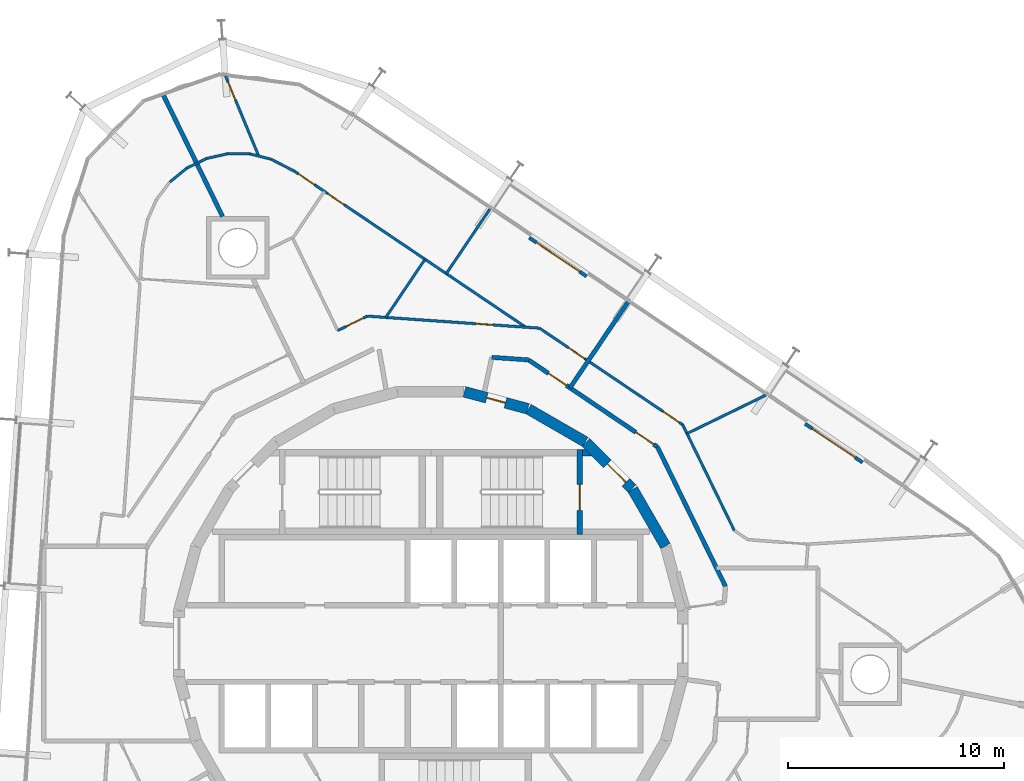
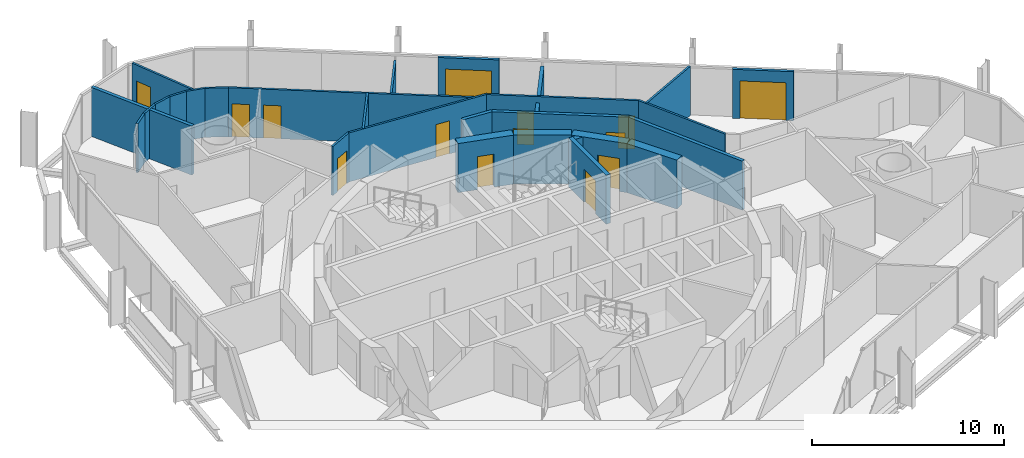
# One storey, part 16 of 18: 28 walls, 14 doors, 14 openings.
"""IFC4 building model written with IfcOpenShell, lengths in metres."""

from ifc_helpers import new_model, si_unit, direction, frame, frame_2d, origin, place, context, subcontext, project, spatial, polyline, rectangle, outline, extrude, material, layer, layer_set, type_object, element, fill, save


model = new_model("IFC4")

# Units and contexts
model_context = context("Model", 3, precision=1e-05, world=origin(), true_north=direction((0.0, 1.0)))
body_context = subcontext(model_context, "Body", "Model", "MODEL_VIEW")
ifc_project = project(units=[si_unit("LENGTHUNIT", "METRE"), si_unit("AREAUNIT", "SQUARE_METRE"), si_unit("VOLUMEUNIT", "CUBIC_METRE"), si_unit("PLANEANGLEUNIT", "RADIAN"), si_unit("MASSUNIT", "GRAM", prefix="KILO")], contexts=[model_context])

# Site, building, storey
site_placement = place(None, origin())
site = spatial("IfcSite", under=ifc_project, at=site_placement, CompositionType="ELEMENT")
building_placement = place(site_placement, origin())
building = spatial("IfcBuilding", under=site, at=building_placement, Name="Spindle Arch Residences", CompositionType="ELEMENT")
storey_placement = place(building_placement, frame((0.0, 0.0, 198.89990234375)))
storey = spatial("IfcBuildingStorey", under=building, at=storey_placement, Name="L50", CompositionType="ELEMENT", Elevation=198.89990234375)

# Wall
ifc_material_1 = material(Name="Concrete C50/60", Category="concrete")
ifc_layer_1 = layer(ifc_material_1, 0.5)
ifc_layer_set_1 = layer_set([ifc_layer_1], Name="Core outline wall 500")
wall_type_1 = type_object("IfcWallType", Name="Core outline wall 500", PredefinedType="SHEAR", material=ifc_layer_set_1)
wall_1_placement = place(storey_placement, frame((10.84521484375, 4.510498046875, 0.0), z_axis=(0.0, 0.0, 1.0), x_axis=(-0.500087131594, 0.865975092491, 0.0)))
element("IfcWall", 1, at=wall_1_placement, inside=storey, type_object=wall_type_1, Name="Core outline wall 8", PredefinedType="SHEAR", context=body_context, shape_type="SweptSolid", body=[
    extrude(rectangle(XDim=3.03271484375, YDim=0.5, at=frame_2d((1.516357421875, 0.0))), origin(), (0.0, 0.0, 1.0), 3.1201171875),
])

# Wall, opening, door
wall_2_placement = place(storey_placement, frame((9.30810546875, 7.163818359375, 0.0), z_axis=(0.0, 0.0, 1.0), x_axis=(-0.707106781187, 0.707106781187, 0.0)))
wall_2 = element("IfcWall", 2, at=wall_2_placement, inside=storey, type_object=wall_type_1, Name="Core outline wall 9", PredefinedType="SHEAR", context=body_context, shape_type="SweptSolid", body=[
    extrude(rectangle(XDim=3.032470703125, YDim=0.5, at=frame_2d((1.51611328125, 0.0))), origin(), (0.0, 0.0, 1.0), 3.1201171875),
])
opening_1_placement = place(wall_2_placement, frame((0.416259765625, 0.0, 0.0)))
opening_1 = element("IfcOpeningElement", 3, at=opening_1_placement, cuts=wall_2, Name="Opening R5B1-AD01", PredefinedType="OPENING", context=body_context, shape_type="SweptSolid", body=[
    extrude(rectangle(XDim=1.199951171875, YDim=2.10009765625, at=frame_2d((0.60009765625, 1.050048828125))), frame((0.0, 0.260009765625, 0.0), z_axis=(0.0, -1.0, 0.0), x_axis=(1.0, 0.0, 0.0)), (0.0, 0.0, 1.0), 0.52001953125),
])
ifc_material_2 = material(Name="Steel, fire-resisting door", Category="steel")
door_type_1 = type_object("IfcDoorType", Name="Stair airlock door 1200x2100", OperationType="SINGLE_SWING_LEFT", PredefinedType="DOOR", material=ifc_material_2)
door_1_placement = place(opening_1_placement, origin())
door_1 = element("IfcDoor", 4, at=door_1_placement, inside=storey, type_object=door_type_1, Name="Stair airlock door R5B1-AD01", OperationType="SINGLE_SWING_RIGHT", OverallHeight=2.10009765625, OverallWidth=1.199951171875, PredefinedType="DOOR", context=body_context, shape_type="SweptSolid", body=[
    extrude(rectangle(XDim=1.199951171875, YDim=2.10009765625, at=frame_2d((0.60009765625, 1.050048828125))), frame((0.0, 0.02490234375, 0.0), z_axis=(0.0, -1.0, 0.0), x_axis=(1.0, 0.0, 0.0)), (0.0, 0.0, 1.0), 0.050048828125),
])
fill(opening_1, door_1)

# Wall
wall_3_placement = place(storey_placement, frame((7.13671875, 9.32861328125, 0.0), z_axis=(0.0, 0.0, 1.0), x_axis=(-0.865975092491, 0.500087131594, 0.0)))
element("IfcWall", 5, at=wall_3_placement, inside=storey, type_object=wall_type_1, Name="Core outline wall 10", PredefinedType="SHEAR", context=body_context, shape_type="SweptSolid", body=[
    extrude(rectangle(XDim=3.03271484375, YDim=0.5, at=frame_2d((1.516357421875, 0.0))), origin(), (0.0, 0.0, 1.0), 3.1201171875),
])

# Wall, opening, door
wall_4_placement = place(storey_placement, frame((4.479248046875, 10.858154296875, 0.0), z_axis=(0.0, 0.0, 1.0), x_axis=(-0.965948410781, 0.258734743916, 0.0)))
wall_4 = element("IfcWall", 6, at=wall_4_placement, inside=storey, type_object=wall_type_1, Name="Core outline wall 11", PredefinedType="SHEAR", context=body_context, shape_type="SweptSolid", body=[
    extrude(rectangle(XDim=3.03271484375, YDim=0.5, at=frame_2d((1.516357421875, 0.0))), origin(), (0.0, 0.0, 1.0), 3.1201171875),
])
opening_2_placement = place(wall_4_placement, frame((1.066162109375, 0.0, 0.0)))
opening_2 = element("IfcOpeningElement", 7, at=opening_2_placement, cuts=wall_4, Name="Opening R5B1-WD11", PredefinedType="OPENING", context=body_context, shape_type="SweptSolid", body=[
    extrude(rectangle(XDim=0.89990234375, YDim=2.10009765625, at=frame_2d((0.449951171875, 1.050048828125))), frame((0.0, 0.260009765625, 0.0), z_axis=(0.0, -1.0, 0.0), x_axis=(1.0, 0.0, 0.0)), (0.0, 0.0, 1.0), 0.52001953125),
])
ifc_material_3 = material(Name="Steel, fire-resisting door", Category="steel")
door_type_2 = type_object("IfcDoorType", Name="Service room door 900x2100", OperationType="SINGLE_SWING_LEFT", PredefinedType="DOOR", material=ifc_material_3)
door_2_placement = place(opening_2_placement, origin())
door_2 = element("IfcDoor", 8, at=door_2_placement, inside=storey, type_object=door_type_2, Name="Service room door R5B1-WD11", OperationType="SINGLE_SWING_LEFT", OverallHeight=2.10009765625, OverallWidth=0.89990234375, PredefinedType="DOOR", context=body_context, shape_type="SweptSolid", body=[
    extrude(rectangle(XDim=0.89990234375, YDim=2.10009765625, at=frame_2d((0.449951171875, 1.050048828125))), frame((0.0, 0.02490234375, 0.0), z_axis=(0.0, -1.0, 0.0), x_axis=(1.0, 0.0, 0.0)), (0.0, 0.0, 1.0), 0.050048828125),
])
fill(opening_2, door_2)

# Wall, openings, doors
ifc_material_4 = material(Name="Calcium silicate block, plastered")
ifc_layer_2 = layer(ifc_material_4, 0.199951171875)
ifc_layer_set_2 = layer_set([ifc_layer_2], Name="Corridor wall 200")
wall_type_2 = type_object("IfcWallType", Name="Corridor wall 200", PredefinedType="STANDARD", material=ifc_layer_set_2)
wall_5_placement = place(storey_placement, frame((10.469970703125, 9.101318359375, 0.0), z_axis=(0.0, 0.0, 1.0), x_axis=(-0.829035841718, 0.559195469534, 0.0)))
wall_5 = element("IfcWall", 9, at=wall_5_placement, inside=storey, type_object=wall_type_2, Name="Corridor wall R5B1-W005", PredefinedType="STANDARD", context=body_context, shape_type="SweptSolid", body=[
    extrude(rectangle(XDim=7.18115234375, YDim=0.199951171875, at=frame_2d((3.590576171875, 0.0))), origin(), (0.0, 0.0, 1.0), 3.1201171875),
])
opening_3_placement = place(wall_5_placement, frame((0.199951171875, 0.0, 0.0)))
opening_3 = element("IfcOpeningElement", 10, at=opening_3_placement, cuts=wall_5, Name="Opening R5B1-FD01", PredefinedType="OPENING", context=body_context, shape_type="SweptSolid", body=[
    extrude(rectangle(XDim=1.0, YDim=2.10009765625, at=frame_2d((0.5, 1.050048828125))), frame((0.0, 0.10986328125, 0.0), z_axis=(0.0, -1.0, 0.0), x_axis=(1.0, 0.0, 0.0)), (0.0, 0.0, 1.0), 0.219970703125),
])
opening_4_placement = place(wall_5_placement, frame((5.07275390625, 0.0, 0.0)))
opening_4 = element("IfcOpeningElement", 11, at=opening_4_placement, cuts=wall_5, Name="Opening R5B1-FD02", PredefinedType="OPENING", context=body_context, shape_type="SweptSolid", body=[
    extrude(rectangle(XDim=1.0, YDim=2.10009765625, at=frame_2d((0.5, 1.050048828125))), frame((0.0, 0.10986328125, 0.0), z_axis=(0.0, -1.0, 0.0), x_axis=(1.0, 0.0, 0.0)), (0.0, 0.0, 1.0), 0.219970703125),
])
ifc_material_5 = material(Name="Timber, fire-resisting door set", Category="wood")
door_type_3 = type_object("IfcDoorType", Name="Flat entrance door 1000x2100", OperationType="NOTDEFINED", PredefinedType="DOOR", material=ifc_material_5)
door_3_placement = place(opening_3_placement, origin())
door_3 = element("IfcDoor", 12, at=door_3_placement, inside=storey, type_object=door_type_3, Name="Flat entrance door R5B1-FD01", OperationType="SINGLE_SWING_LEFT", OverallHeight=2.10009765625, OverallWidth=1.0, PredefinedType="DOOR", context=body_context, shape_type="SweptSolid", body=[
    extrude(rectangle(XDim=1.0, YDim=2.10009765625, at=frame_2d((0.5, 1.050048828125))), frame((0.0, 0.02490234375, 0.0), z_axis=(0.0, -1.0, 0.0), x_axis=(1.0, 0.0, 0.0)), (0.0, 0.0, 1.0), 0.050048828125),
])
fill(opening_3, door_3)
door_4_placement = place(opening_4_placement, origin())
door_4 = element("IfcDoor", 13, at=door_4_placement, inside=storey, type_object=door_type_3, Name="Flat entrance door R5B1-FD02", OperationType="SINGLE_SWING_RIGHT", OverallHeight=2.10009765625, OverallWidth=1.0, PredefinedType="DOOR", context=body_context, shape_type="SweptSolid", body=[
    extrude(rectangle(XDim=1.0, YDim=2.10009765625, at=frame_2d((0.5, 1.050048828125))), frame((0.0, 0.02490234375, 0.0), z_axis=(0.0, -1.0, 0.0), x_axis=(1.0, 0.0, 0.0)), (0.0, 0.0, 1.0), 0.050048828125),
])
fill(opening_4, door_4)

# Walls
wall_6_placement = place(storey_placement, frame((4.5166015625, 13.116943359375, 0.0), z_axis=(0.0, 0.0, 1.0), x_axis=(-0.997562153664, 0.069783591025, 0.0)))
element("IfcWall", 14, at=wall_6_placement, inside=storey, type_object=wall_type_2, Name="Corridor wall R5B1-W006", PredefinedType="STANDARD", context=body_context, shape_type="SweptSolid", body=[
    extrude(rectangle(XDim=1.707275390625, YDim=0.199951171875, at=frame_2d((0.853515625, 0.0))), origin(), (0.0, 0.0, 1.0), 3.1201171875),
])
ifc_material_6 = material(Name="Calcium silicate block, plastered")
ifc_layer_3 = layer(ifc_material_6, 0.199951171875)
ifc_layer_set_3 = layer_set([ifc_layer_3], Name="Fire-lift lobby bay wall 200")
wall_type_3 = type_object("IfcWallType", Name="Fire-lift lobby bay wall 200", PredefinedType="STANDARD", material=ifc_layer_set_3)
wall_7_placement = place(storey_placement, frame((13.617919921875, 2.64697265625, 0.0), z_axis=(0.0, 0.0, 1.0), x_axis=(-0.438366026218, 0.898796543751, 0.0)))
element("IfcWall", 15, at=wall_7_placement, inside=storey, type_object=wall_type_3, Name="Fire-lift lobby bay wall R5B1-W004", PredefinedType="STANDARD", context=body_context, shape_type="SweptSolid", body=[
    extrude(rectangle(XDim=7.18115234375, YDim=0.199951171875, at=frame_2d((3.590576171875, 0.0))), origin(), (0.0, 0.0, 1.0), 3.1201171875),
])
ifc_material_7 = material(Name="Plasterboard on steel studs", Category="steel")
ifc_layer_4 = layer(ifc_material_7, 0.1201171875)
ifc_layer_set_4 = layer_set([ifc_layer_4], Name="Flat partition 120")
wall_type_4 = type_object("IfcWallType", Name="Flat partition 120", PredefinedType="PARTITIONING", material=ifc_layer_set_4)
wall_8_placement = place(storey_placement, frame((14.02587890625, 5.232177734375, 0.0), z_axis=(0.0, 0.0, 1.0), x_axis=(-0.438374985284, 0.89879217413, 0.0)))
element("IfcWall", 16, at=wall_8_placement, inside=storey, type_object=wall_type_4, Name="Flat partition R5B1-W041", PredefinedType="PARTITIONING", context=body_context, shape_type="SweptSolid", body=[
    extrude(rectangle(XDim=5.438232421875, YDim=0.1201171875, at=frame_2d((2.71923828125, 0.0))), origin(), (0.0, 0.0, 1.0), 3.1201171875),
])

# Wall, openings, doors
wall_9_placement = place(storey_placement, frame((11.641845703125, 10.1201171875, 0.0), z_axis=(0.0, 0.0, 1.0), x_axis=(-0.829032241779, 0.55920080659, 0.0)))
wall_9 = element("IfcWall", 17, at=wall_9_placement, inside=storey, type_object=wall_type_4, Name="Flat partition R5B1-W042", PredefinedType="PARTITIONING", context=body_context, shape_type="SweptSolid", body=[
    extrude(rectangle(XDim=7.98486328125, YDim=0.1201171875, at=frame_2d((3.992431640625, 0.0))), origin(), (0.0, 0.0, 1.0), 3.1201171875),
])
opening_5_placement = place(wall_9_placement, frame((0.199951171875, 0.0, 0.0)))
opening_5 = element("IfcOpeningElement", 18, at=opening_5_placement, cuts=wall_9, Name="Opening R5B1-ID02", PredefinedType="OPENING", context=body_context, shape_type="SweptSolid", body=[
    extrude(rectangle(XDim=0.89990234375, YDim=2.10009765625, at=frame_2d((0.449951171875, 1.050048828125))), frame((0.0, 0.070068359375, 0.0), z_axis=(0.0, -1.0, 0.0), x_axis=(1.0, 0.0, 0.0)), (0.0, 0.0, 1.0), 0.14013671875),
])
opening_6_placement = place(wall_9_placement, frame((5.474853515625, 0.0, 0.0)))
opening_6 = element("IfcOpeningElement", 19, at=opening_6_placement, cuts=wall_9, Name="Opening R5B1-ID05", PredefinedType="OPENING", context=body_context, shape_type="SweptSolid", body=[
    extrude(rectangle(XDim=0.89990234375, YDim=2.10009765625, at=frame_2d((0.449951171875, 1.050048828125))), frame((0.0, 0.070068359375, 0.0), z_axis=(0.0, -1.0, 0.0), x_axis=(1.0, 0.0, 0.0)), (0.0, 0.0, 1.0), 0.14013671875),
])
ifc_material_8 = material(Name="Timber door set", Category="wood")
door_type_4 = type_object("IfcDoorType", Name="Room door 900x2100", OperationType="NOTDEFINED", PredefinedType="DOOR", material=ifc_material_8)
door_5_placement = place(opening_5_placement, origin())
door_5 = element("IfcDoor", 20, at=door_5_placement, inside=storey, type_object=door_type_4, Name="Room door R5B1-ID02", OperationType="SINGLE_SWING_LEFT", OverallHeight=2.10009765625, OverallWidth=0.89990234375, PredefinedType="DOOR", context=body_context, shape_type="SweptSolid", body=[
    extrude(rectangle(XDim=0.89990234375, YDim=2.10009765625, at=frame_2d((0.449951171875, 1.050048828125))), frame((0.0, 0.02490234375, 0.0), z_axis=(0.0, -1.0, 0.0), x_axis=(1.0, 0.0, 0.0)), (0.0, 0.0, 1.0), 0.050048828125),
])
fill(opening_5, door_5)
door_6_placement = place(opening_6_placement, origin())
door_6 = element("IfcDoor", 21, at=door_6_placement, inside=storey, type_object=door_type_4, Name="Room door R5B1-ID05", OperationType="SINGLE_SWING_RIGHT", OverallHeight=2.10009765625, OverallWidth=0.89990234375, PredefinedType="DOOR", context=body_context, shape_type="SweptSolid", body=[
    extrude(rectangle(XDim=0.89990234375, YDim=2.10009765625, at=frame_2d((0.449951171875, 1.050048828125))), frame((0.0, 0.02490234375, 0.0), z_axis=(0.0, -1.0, 0.0), x_axis=(1.0, 0.0, 0.0)), (0.0, 0.0, 1.0), 0.050048828125),
])
fill(opening_6, door_6)

# Wall
wall_10_placement = place(storey_placement, frame((15.48193359375, 11.4873046875, 0.0), z_axis=(0.0, 0.0, 1.0), x_axis=(-0.898807251285, -0.438344071521, 0.0)))
element("IfcWall", 22, at=wall_10_placement, inside=storey, type_object=wall_type_4, Name="Flat partition R5B1-W048", PredefinedType="PARTITIONING", context=body_context, shape_type="SweptSolid", body=[
    extrude(rectangle(XDim=4.05078125, YDim=0.1201171875, at=frame_2d((2.025390625, 0.0))), origin(), (0.0, 0.0, 1.0), 3.1201171875),
])

# Wall, opening, door
wall_11_placement = place(storey_placement, frame((5.022216796875, 14.585205078125, 0.0), z_axis=(0.0, 0.0, 1.0), x_axis=(-0.997565118395, 0.069741197017, 0.0)))
wall_11 = element("IfcWall", 23, at=wall_11_placement, inside=storey, type_object=wall_type_4, Name="Flat partition R5B1-W049", PredefinedType="PARTITIONING", context=body_context, shape_type="SweptSolid", body=[
    extrude(rectangle(XDim=7.985107421875, YDim=0.1201171875, at=frame_2d((3.99267578125, 0.0))), origin(), (0.0, 0.0, 1.0), 3.1201171875),
])
opening_7_placement = place(wall_11_placement, frame((2.138427734375, 0.0, 0.0)))
opening_7 = element("IfcOpeningElement", 24, at=opening_7_placement, cuts=wall_11, Name="Opening R5B1-BD02", PredefinedType="OPENING", context=body_context, shape_type="SweptSolid", body=[
    extrude(rectangle(XDim=0.800048828125, YDim=2.10009765625, at=frame_2d((0.39990234375, 1.050048828125))), frame((0.0, 0.070068359375, 0.0), z_axis=(0.0, -1.0, 0.0), x_axis=(1.0, 0.0, 0.0)), (0.0, 0.0, 1.0), 0.14013671875),
])
ifc_material_9 = material(Name="Timber door set", Category="wood")
door_type_5 = type_object("IfcDoorType", Name="Bathroom door 800x2100", OperationType="NOTDEFINED", PredefinedType="DOOR", material=ifc_material_9)
door_7_placement = place(opening_7_placement, origin())
door_7 = element("IfcDoor", 25, at=door_7_placement, inside=storey, type_object=door_type_5, Name="Bathroom door R5B1-BD02", OperationType="SINGLE_SWING_RIGHT", OverallHeight=2.10009765625, OverallWidth=0.800048828125, PredefinedType="DOOR", context=body_context, shape_type="SweptSolid", body=[
    extrude(rectangle(XDim=0.800048828125, YDim=2.10009765625, at=frame_2d((0.39990234375, 1.050048828125))), frame((0.0, 0.02490234375, 0.0), z_axis=(0.0, -1.0, 0.0), x_axis=(1.0, 0.0, 0.0)), (0.0, 0.0, 1.0), 0.050048828125),
])
fill(opening_7, door_7)

wall_12_placement = place(storey_placement, frame((-2.943359375, 15.14208984375, 0.0), z_axis=(0.0, 0.0, 1.0), x_axis=(-0.898853439798, -0.438249351127, 0.0)))
wall_12 = element("IfcWall", 26, at=wall_12_placement, inside=storey, type_object=wall_type_4, Name="Flat partition R5B1-W050", PredefinedType="PARTITIONING", context=body_context, shape_type="SweptSolid", body=[
    extrude(rectangle(XDim=1.51806640625, YDim=0.1201171875, at=frame_2d((0.759033203125, 0.0))), origin(), (0.0, 0.0, 1.0), 3.1201171875),
])
opening_8_placement = place(wall_12_placement, frame((0.199951171875, 0.0, 0.0)))
opening_8 = element("IfcOpeningElement", 27, at=opening_8_placement, cuts=wall_12, Name="Opening R5B1-ID06", PredefinedType="OPENING", context=body_context, shape_type="SweptSolid", body=[
    extrude(rectangle(XDim=0.89990234375, YDim=2.10009765625, at=frame_2d((0.449951171875, 1.050048828125))), frame((0.0, 0.070068359375, 0.0), z_axis=(0.0, -1.0, 0.0), x_axis=(1.0, 0.0, 0.0)), (0.0, 0.0, 1.0), 0.14013671875),
])
door_8_placement = place(opening_8_placement, origin())
door_8 = element("IfcDoor", 28, at=door_8_placement, inside=storey, type_object=door_type_4, Name="Room door R5B1-ID06", OperationType="SINGLE_SWING_RIGHT", OverallHeight=2.10009765625, OverallWidth=0.89990234375, PredefinedType="DOOR", context=body_context, shape_type="SweptSolid", body=[
    extrude(rectangle(XDim=0.89990234375, YDim=2.10009765625, at=frame_2d((0.449951171875, 1.050048828125))), frame((0.0, 0.02490234375, 0.0), z_axis=(0.0, -1.0, 0.0), x_axis=(1.0, 0.0, 0.0)), (0.0, 0.0, 1.0), 0.050048828125),
])
fill(opening_8, door_8)

# Wall, openings, doors
wall_13_placement = place(storey_placement, frame((-6.291748046875, 21.831298828125, 0.0), z_axis=(0.0, 0.0, 1.0), x_axis=(0.829040041754, -0.559189242715, 0.0)))
wall_13 = element("IfcWall", 29, at=wall_13_placement, inside=storey, type_object=wall_type_4, Name="Flat partition R5B1-W053", PredefinedType="PARTITIONING", context=body_context, shape_type="SweptSolid", body=[
    extrude(rectangle(XDim=12.878662109375, YDim=0.1201171875, at=frame_2d((6.439453125, 0.0))), origin(), (0.0, 0.0, 1.0), 3.1201171875),
])
opening_9_placement = place(wall_13_placement, frame((1.843994140625, 0.0, 0.0)))
opening_9 = element("IfcOpeningElement", 30, at=opening_9_placement, cuts=wall_13, Name="Opening R5B1-ID07", PredefinedType="OPENING", context=body_context, shape_type="SweptSolid", body=[
    extrude(rectangle(XDim=0.89990234375, YDim=2.10009765625, at=frame_2d((0.449951171875, 1.050048828125))), frame((0.0, 0.070068359375, 0.0), z_axis=(0.0, -1.0, 0.0), x_axis=(1.0, 0.0, 0.0)), (0.0, 0.0, 1.0), 0.14013671875),
])
opening_10_placement = place(wall_13_placement, frame((0.199951171875, 0.0, 0.0)))
opening_10 = element("IfcOpeningElement", 31, at=opening_10_placement, cuts=wall_13, Name="Opening R5B1-ID08", PredefinedType="OPENING", context=body_context, shape_type="SweptSolid", body=[
    extrude(rectangle(XDim=0.89990234375, YDim=2.10009765625, at=frame_2d((0.449951171875, 1.050048828125))), frame((0.0, 0.070068359375, 0.0), z_axis=(0.0, -1.0, 0.0), x_axis=(1.0, 0.0, 0.0)), (0.0, 0.0, 1.0), 0.14013671875),
])
door_9_placement = place(opening_9_placement, origin())
door_9 = element("IfcDoor", 32, at=door_9_placement, inside=storey, type_object=door_type_4, Name="Room door R5B1-ID07", OperationType="SINGLE_SWING_RIGHT", OverallHeight=2.10009765625, OverallWidth=0.89990234375, PredefinedType="DOOR", context=body_context, shape_type="SweptSolid", body=[
    extrude(rectangle(XDim=0.89990234375, YDim=2.10009765625, at=frame_2d((0.449951171875, 1.050048828125))), frame((0.0, 0.02490234375, 0.0), z_axis=(0.0, -1.0, 0.0), x_axis=(1.0, 0.0, 0.0)), (0.0, 0.0, 1.0), 0.050048828125),
])
fill(opening_9, door_9)
door_10_placement = place(opening_10_placement, origin())
door_10 = element("IfcDoor", 33, at=door_10_placement, inside=storey, type_object=door_type_4, Name="Room door R5B1-ID08", OperationType="SINGLE_SWING_LEFT", OverallHeight=2.10009765625, OverallWidth=0.89990234375, PredefinedType="DOOR", context=body_context, shape_type="SweptSolid", body=[
    extrude(rectangle(XDim=0.89990234375, YDim=2.10009765625, at=frame_2d((0.449951171875, 1.050048828125))), frame((0.0, 0.02490234375, 0.0), z_axis=(0.0, -1.0, 0.0), x_axis=(1.0, 0.0, 0.0)), (0.0, 0.0, 1.0), 0.050048828125),
])
fill(opening_10, door_10)

# Walls
wall_14_placement = place(storey_placement, frame((-0.271728515625, 17.77099609375, 0.0), z_axis=(0.0, 0.0, 1.0), x_axis=(-0.559174158254, -0.829050216055, 0.0)))
element("IfcWall", 34, at=wall_14_placement, inside=storey, type_object=wall_type_4, Name="Flat partition R5B1-W055", PredefinedType="PARTITIONING", context=body_context, shape_type="SweptSolid", body=[
    extrude(rectangle(XDim=3.2431640625, YDim=0.1201171875, at=frame_2d((1.62158203125, 0.0))), origin(), (0.0, 0.0, 1.0), 3.1201171875),
])
wall_15_placement = place(storey_placement, frame((-8.367431640625, 22.640380859375, 0.0), z_axis=(0.0, 0.0, 1.0), x_axis=(0.970340073087, -0.241743960754, 0.0)))
element("IfcWall", 35, at=wall_15_placement, inside=storey, type_object=wall_type_4, Name="Flat partition R5B1-W056", PredefinedType="PARTITIONING", context=body_context, shape_type="SweptSolid", body=[
    extrude(rectangle(XDim=1.015869140625, YDim=0.1201171875, at=frame_2d((0.5078125, 0.0))), origin(), (0.0, 0.0, 1.0), 3.1201171875),
])
wall_16_placement = place(storey_placement, frame((-7.381591796875, 22.394775390625, 0.0), z_axis=(0.0, 0.0, 1.0), x_axis=(0.888296031948, -0.459271335514, 0.0)))
element("IfcWall", 36, at=wall_16_placement, inside=storey, type_object=wall_type_4, Name="Flat partition R5B1-W057", PredefinedType="PARTITIONING", context=body_context, shape_type="SweptSolid", body=[
    extrude(rectangle(XDim=1.226806640625, YDim=0.1201171875, at=frame_2d((0.61328125, 0.0))), origin(), (0.0, 0.0, 1.0), 3.1201171875),
])

# Wall, opening, door
wall_17_placement = place(storey_placement, frame((-9.498046875, 26.25390625, 0.0), z_axis=(0.0, 0.0, 1.0), x_axis=(0.38230709116, -0.924035328355, 0.0)))
wall_17 = element("IfcWall", 37, at=wall_17_placement, inside=storey, type_object=wall_type_4, Name="Flat partition R5B1-W058", PredefinedType="PARTITIONING", context=body_context, shape_type="SweptSolid", body=[
    extrude(rectangle(XDim=4.02001953125, YDim=0.1201171875, at=frame_2d((2.010009765625, 0.0))), origin(), (0.0, 0.0, 1.0), 3.1201171875),
])
opening_11_placement = place(wall_17_placement, frame((0.300048828125, 0.0, 0.0)))
opening_11 = element("IfcOpeningElement", 38, at=opening_11_placement, cuts=wall_17, Name="Opening R5B1-ID09", PredefinedType="OPENING", context=body_context, shape_type="SweptSolid", body=[
    extrude(rectangle(XDim=0.89990234375, YDim=2.10009765625, at=frame_2d((0.449951171875, 1.050048828125))), frame((0.0, 0.070068359375, 0.0), z_axis=(0.0, -1.0, 0.0), x_axis=(1.0, 0.0, 0.0)), (0.0, 0.0, 1.0), 0.14013671875),
])
door_11_placement = place(opening_11_placement, origin())
door_11 = element("IfcDoor", 39, at=door_11_placement, inside=storey, type_object=door_type_4, Name="Room door R5B1-ID09", OperationType="SINGLE_SWING_RIGHT", OverallHeight=2.10009765625, OverallWidth=0.89990234375, PredefinedType="DOOR", context=body_context, shape_type="SweptSolid", body=[
    extrude(rectangle(XDim=0.89990234375, YDim=2.10009765625, at=frame_2d((0.449951171875, 1.050048828125))), frame((0.0, 0.02490234375, 0.0), z_axis=(0.0, -1.0, 0.0), x_axis=(1.0, 0.0, 0.0)), (0.0, 0.0, 1.0), 0.050048828125),
])
fill(opening_11, door_11)

# Walls
for number, where, z_axis, x_axis, name in (
    (40, (-8.367431640625, 22.640380859375, 0.0), (0.0, 0.0, 1.0), (-0.999930669942, 0.011775198949, 0.0), "Flat partition R5B1-W060"),
    (41, (-9.38330078125, 22.65234375, 0.0), (0.0, 0.0, 1.0), (-0.975686894554, -0.219169075821, 0.0), "Flat partition R5B1-W061"),
):
    element("IfcWall", number, at=place(storey_placement, frame(where, z_axis=z_axis, x_axis=x_axis)), inside=storey, type_object=wall_type_4, Name=name, PredefinedType="PARTITIONING", context=body_context, shape_type="SweptSolid", body=[
        extrude(rectangle(XDim=1.015869140625, YDim=0.1201171875, at=frame_2d((0.5078125, 0.0))), origin(), (0.0, 0.0, 1.0), 3.1201171875),
    ])
wall_18_placement = place(storey_placement, frame((-10.37451171875, 22.4296875, 0.0), z_axis=(0.0, 0.0, 1.0), x_axis=(-0.898710701911, -0.438541986895, 0.0)))
element("IfcWall", 42, at=wall_18_placement, inside=storey, type_object=wall_type_4, Name="Flat partition R5B1-W062", PredefinedType="PARTITIONING", context=body_context, shape_type="SweptSolid", body=[
    extrude(rectangle(XDim=1.01611328125, YDim=0.1201171875, at=frame_2d((0.508056640625, 0.0))), origin(), (0.0, 0.0, 1.0), 3.1201171875),
])
wall_19_placement = place(storey_placement, frame((-11.28759765625, 21.984130859375, 0.0), z_axis=(0.0, 0.0, 1.0), x_axis=(-0.773571701215, -0.633708784127, 0.0)))
element("IfcWall", 43, at=wall_19_placement, inside=storey, type_object=wall_type_4, Name="Flat partition R5B1-W067", PredefinedType="PARTITIONING", context=body_context, shape_type="SweptSolid", body=[
    extrude(rectangle(XDim=1.015869140625, YDim=0.1201171875, at=frame_2d((0.5078125, 0.0))), origin(), (0.0, 0.0, 1.0), 3.1201171875),
])
ifc_material_10 = material(Name="Plasterboard on steel studs", Category="steel")
ifc_layer_5 = layer(ifc_material_10, 0.1201171875)
ifc_layer_set_5 = layer_set([ifc_layer_5], Name="Flat partition 120 under beam 2730")
wall_type_5 = type_object("IfcWallType", Name="Flat partition 120 under beam 2730", PredefinedType="PARTITIONING", material=ifc_layer_set_5)
wall_20_placement = place(storey_placement, frame((2.72509765625, 20.091796875, 0.0), z_axis=(0.0, 0.0, 1.0), x_axis=(-0.559230560117, -0.829012171582, 0.0)))
element("IfcWall", 44, at=wall_20_placement, inside=storey, type_object=wall_type_5, Name="Flat partition R5B1-W054", PredefinedType="PARTITIONING", context=body_context, shape_type="SweptSolid", body=[
    extrude(rectangle(XDim=3.599853515625, YDim=0.1201171875, at=frame_2d((1.7998046875, 0.0))), origin(), (0.0, 0.0, 1.0), 2.72998046875),
])
ifc_material_11 = material(Name="Calcium silicate block, plastered")
ifc_layer_6 = layer(ifc_material_11, 0.199951171875)
ifc_layer_set_6 = layer_set([ifc_layer_6], Name="Flat party wall 200")
wall_type_6 = type_object("IfcWallType", Name="Flat party wall 200", PredefinedType="STANDARD", material=ifc_layer_set_6)
wall_21_placement = place(storey_placement, frame((-12.4091796875, 25.4423828125, 0.0), z_axis=(0.0, 0.0, 1.0), x_axis=(0.43838641251, -0.898786600549, 0.0)))
element("IfcWall", 45, at=wall_21_placement, inside=storey, type_object=wall_type_6, Name="Flat party wall R5B1-W033", PredefinedType="STANDARD", context=body_context, shape_type="SweptSolid", body=[
    extrude(rectangle(XDim=6.33251953125, YDim=0.199951171875, at=frame_2d((3.166259765625, 0.0))), origin(), (0.0, 0.0, 1.0), 3.1201171875),
])
ifc_material_12 = material(Name="Calcium silicate block, plastered")
ifc_layer_7 = layer(ifc_material_12, 0.199951171875)
ifc_layer_set_7 = layer_set([ifc_layer_7], Name="Flat party wall 200 under beam 2730")
wall_type_7 = type_object("IfcWallType", Name="Flat party wall 200 under beam 2730", PredefinedType="STANDARD", material=ifc_layer_set_7)
wall_22_placement = place(storey_placement, frame((9.103515625, 15.78955078125, 0.0), z_axis=(0.0, 0.0, 1.0), x_axis=(-0.559193912135, -0.829036892201, 0.0)))
element("IfcWall", 46, at=wall_22_placement, inside=storey, type_object=wall_type_7, Name="Flat party wall R5B1-W028", PredefinedType="STANDARD", context=body_context, shape_type="SweptSolid", body=[
    extrude(rectangle(XDim=4.78076171875, YDim=0.199951171875, at=frame_2d((2.390380859375, 0.0))), origin(), (0.0, 0.0, 1.0), 2.72998046875),
])

# Wall, opening, door
ifc_material_13 = material(Name="Non-combustible mineral wool insulated aluminium faced external wall (K0)", Category="aluminium")
ifc_layer_8 = layer(ifc_material_13, 0.159912109375)
ifc_layer_set_8 = layer_set([ifc_layer_8], Name="Insulated external wall panel 160")
wall_type_8 = type_object("IfcWallType", Name="Insulated external wall panel 160", PredefinedType="STANDARD", material=ifc_layer_set_8)
wall_23_placement = place(storey_placement, frame((19.952880859375, 8.375244140625, 0.0), z_axis=(0.0, 0.0, 1.0), x_axis=(-0.829068838882, 0.55914654644, 0.0)))
wall_23 = element("IfcWall", 47, at=wall_23_placement, inside=storey, type_object=wall_type_8, Name="External wall L50 bay 6", PredefinedType="STANDARD", context=body_context, shape_type="SweptSolid", body=[
    extrude(rectangle(XDim=3.199951171875, YDim=0.159912109375, at=frame_2d((1.60009765625, 0.0))), origin(), (0.0, 0.0, 1.0), 3.1201171875),
])
opening_12_placement = place(wall_23_placement, frame((0.39990234375, 0.0, 0.0)))
opening_12 = element("IfcOpeningElement", 48, at=opening_12_placement, cuts=wall_23, Name="Opening BD06", PredefinedType="OPENING", context=body_context, shape_type="SweptSolid", body=[
    extrude(rectangle(XDim=2.39990234375, YDim=2.39990234375, at=frame_2d((1.199951171875, 1.199951171875))), frame((0.0, 0.08984375, 0.0), z_axis=(0.0, -1.0, 0.0), x_axis=(1.0, 0.0, 0.0)), (0.0, 0.0, 1.0), 0.179931640625),
])
ifc_material_14 = material(Name="Bronze aluminium frame, tinted double glazing", Category="aluminium")
door_type_6 = type_object("IfcDoorType", Name="Sliding glazed balcony door 2400x2400", OperationType="DOUBLE_DOOR_SLIDING", PredefinedType="DOOR", material=ifc_material_14)
door_12_placement = place(opening_12_placement, origin())
door_12 = element("IfcDoor", 49, at=door_12_placement, inside=storey, type_object=door_type_6, Name="Balcony door BD06", OperationType="DOUBLE_DOOR_SLIDING", OverallHeight=2.39990234375, OverallWidth=2.39990234375, PredefinedType="DOOR", context=body_context, shape_type="SweptSolid", body=[
    extrude(rectangle(XDim=2.39990234375, YDim=2.39990234375, at=frame_2d((1.199951171875, 1.199951171875))), frame((0.0, 0.02490234375, 0.0), z_axis=(0.0, -1.0, 0.0), x_axis=(1.0, 0.0, 0.0)), (0.0, 0.0, 1.0), 0.050048828125),
])
fill(opening_12, door_12)

wall_24_placement = place(storey_placement, frame((7.196044921875, 16.979736328125, 0.0), z_axis=(0.0, 0.0, 1.0), x_axis=(-0.829044984211, 0.559181915082, 0.0)))
wall_24 = element("IfcWall", 50, at=wall_24_placement, inside=storey, type_object=wall_type_8, Name="External wall L50 bay 8", PredefinedType="STANDARD", context=body_context, shape_type="SweptSolid", body=[
    extrude(rectangle(XDim=3.199951171875, YDim=0.159912109375, at=frame_2d((1.60009765625, 0.0))), origin(), (0.0, 0.0, 1.0), 3.1201171875),
])
opening_13_placement = place(wall_24_placement, frame((0.39990234375, 0.0, 0.0)))
opening_13 = element("IfcOpeningElement", 51, at=opening_13_placement, cuts=wall_24, Name="Opening BD08", PredefinedType="OPENING", context=body_context, shape_type="SweptSolid", body=[
    extrude(rectangle(XDim=2.39990234375, YDim=2.39990234375, at=frame_2d((1.199951171875, 1.199951171875))), frame((0.0, 0.08984375, 0.0), z_axis=(0.0, -1.0, 0.0), x_axis=(1.0, 0.0, 0.0)), (0.0, 0.0, 1.0), 0.179931640625),
])
door_13_placement = place(opening_13_placement, origin())
door_13 = element("IfcDoor", 52, at=door_13_placement, inside=storey, type_object=door_type_6, Name="Balcony door BD08", OperationType="DOUBLE_DOOR_SLIDING", OverallHeight=2.39990234375, OverallWidth=2.39990234375, PredefinedType="DOOR", context=body_context, shape_type="SweptSolid", body=[
    extrude(rectangle(XDim=2.39990234375, YDim=2.39990234375, at=frame_2d((1.199951171875, 1.199951171875))), frame((0.0, 0.02490234375, 0.0), z_axis=(0.0, -1.0, 0.0), x_axis=(1.0, 0.0, 0.0)), (0.0, 0.0, 1.0), 0.050048828125),
])
fill(opening_13, door_13)

# Wall
ifc_material_15 = material(Name="Concrete C40/50", Category="concrete")
wall_type_9 = type_object("IfcWallType", Name="Stair airlock wall profile", PredefinedType="SHEAR", material=ifc_material_15)
wall_25_placement = place(storey_placement, origin())
element("IfcWall", 53, at=wall_25_placement, inside=storey, type_object=wall_type_9, Name="Stair ST-1 airlock wall N", PredefinedType="SHEAR", context=body_context, shape_type="SweptSolid", body=[
    extrude(outline(polyline([(7.4482421875, 8.669921875), (7.0, 8.669921875), (7.0, 8.969970703125), (7.148193359375, 8.969970703125), (7.4482421875, 8.669921875)])), origin(), (0.0, 0.0, 1.0), 3.1201171875),
])

# Wall, opening, door
ifc_material_16 = material(Name="Concrete C50/60", Category="concrete")
ifc_layer_9 = layer(ifc_material_16, 0.25)
ifc_layer_set_9 = layer_set([ifc_layer_9], Name="Stair enclosure wall 250")
wall_type_10 = type_object("IfcWallType", Name="Stair enclosure wall 250", PredefinedType="SHEAR", material=ifc_layer_set_9)
wall_26_placement = place(storey_placement, frame((6.875, 5.050048828125, 0.0), z_axis=(0.0, 0.0, 1.0), x_axis=(0.0, 1.0, 0.0)))
wall_26 = element("IfcWall", 54, at=wall_26_placement, inside=storey, type_object=wall_type_10, Name="Stair ST-1 door wall", PredefinedType="SHEAR", context=body_context, shape_type="SweptSolid", body=[
    extrude(rectangle(XDim=3.919921875, YDim=0.25, at=frame_2d((1.9599609375, 0.0))), origin(), (0.0, 0.0, 1.0), 3.1201171875),
])
opening_14_placement = place(wall_26_placement, frame((1.110107421875, 0.0, 0.0)))
opening_14 = element("IfcOpeningElement", 55, at=opening_14_placement, cuts=wall_26, Name="Opening R5B1-SD01", PredefinedType="OPENING", context=body_context, shape_type="SweptSolid", body=[
    extrude(rectangle(XDim=1.199951171875, YDim=2.10009765625, at=frame_2d((0.60009765625, 1.050048828125))), frame((0.0, 0.135009765625, 0.0), z_axis=(0.0, -1.0, 0.0), x_axis=(1.0, 0.0, 0.0)), (0.0, 0.0, 1.0), 0.27001953125),
])
ifc_material_17 = material(Name="Steel, fire-resisting door", Category="steel")
door_type_7 = type_object("IfcDoorType", Name="Stair door 1200x2100", OperationType="SINGLE_SWING_RIGHT", PredefinedType="DOOR", material=ifc_material_17)
door_14_placement = place(opening_14_placement, origin())
door_14 = element("IfcDoor", 56, at=door_14_placement, inside=storey, type_object=door_type_7, Name="Stair door R5B1-SD01", OperationType="SINGLE_SWING_LEFT", OverallHeight=2.10009765625, OverallWidth=1.199951171875, PredefinedType="DOOR", context=body_context, shape_type="SweptSolid", body=[
    extrude(rectangle(XDim=1.199951171875, YDim=2.10009765625, at=frame_2d((0.60009765625, 1.050048828125))), frame((0.0, 0.02490234375, 0.0), z_axis=(0.0, -1.0, 0.0), x_axis=(1.0, 0.0, 0.0)), (0.0, 0.0, 1.0), 0.050048828125),
])
fill(opening_14, door_14)

save(model, "model.ifc")
